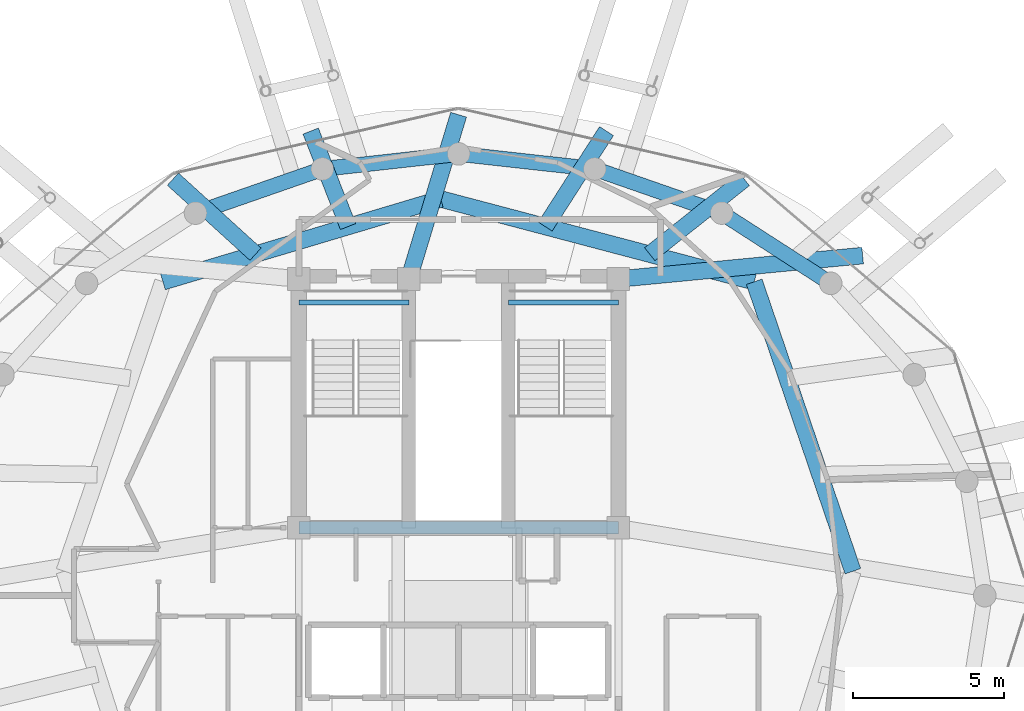
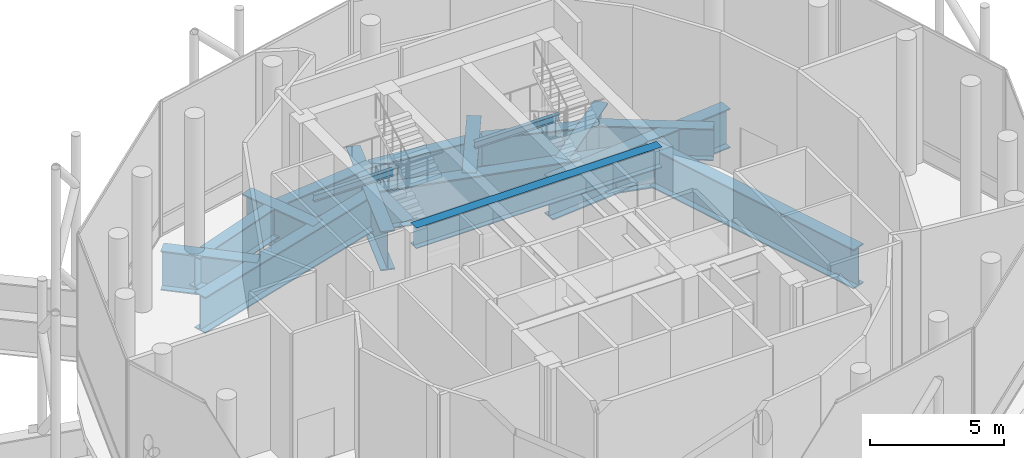
# One storey, part 12 of 26: 17 beams.
"""IFC4 building model written with IfcOpenShell, lengths in metres."""

from ifc_helpers import new_model, si_unit, direction, frame, origin, origin_2d, place, context, subcontext, project, spatial, i_section, extrude, material, material_profile, profile_set, type_object, element, save


model = new_model("IFC4")

# Units and contexts
model_context = context("Model", 3, precision=1e-05, world=origin(), true_north=direction((0.0, 1.0)))
body_context = subcontext(model_context, "Body", "Model", "MODEL_VIEW")
ifc_project = project(units=[si_unit("LENGTHUNIT", "METRE"), si_unit("AREAUNIT", "SQUARE_METRE"), si_unit("VOLUMEUNIT", "CUBIC_METRE"), si_unit("PLANEANGLEUNIT", "RADIAN"), si_unit("MASSUNIT", "GRAM", prefix="KILO")], contexts=[model_context])

# Site, building, storey
site_placement = place(None, origin())
site = spatial("IfcSite", under=ifc_project, at=site_placement, CompositionType="ELEMENT")
building_placement = place(site_placement, origin())
building = spatial("IfcBuilding", under=site, at=building_placement, Name="Nuhasar Tower", CompositionType="ELEMENT")
storey_placement = place(building_placement, frame((0.0, 0.0, 306.800048828125)))
storey = spatial("IfcBuildingStorey", under=building, at=storey_placement, Name="L76", CompositionType="ELEMENT", Elevation=306.800048828125)

# Beams
ifc_material_1 = material(Name="Steel S355", Category="steel")
ifc_material_profile_1 = material_profile(ifc_material_1, i_section(OverallWidth=0.1650390625, OverallDepth=0.31005859375, WebThickness=0.005859375, FlangeThickness=0.009765625, at=origin_2d()), Name="W12X26")
ifc_profile_set_1 = profile_set([ifc_material_profile_1], Name="Steel S355")
beam_type_1 = type_object("IfcBeamType", Name="BM-LNT-W12X26", PredefinedType="LINTEL", material=ifc_profile_set_1)
for number, where, z_axis, x_axis, name in (
    (1, (33.699951171875, 36.530029296875, 2.905029296875), (1.0, 0.0, 0.0), (0.0, 1.0, 0.0), "L76 Stair ST-01 Mid-Landing Trimmer Beam 1"),
    (2, (40.64990234375, 36.530029296875, 2.905029296875), (1.0, 0.0, 0.0), (0.0, 1.0, 0.0), "L76 Stair ST-02 Mid-Landing Trimmer Beam 1"),
):
    element("IfcBeam", number, at=place(storey_placement, frame(where, z_axis=z_axis, x_axis=x_axis)), inside=storey, type_object=beam_type_1, Name=name, PredefinedType="LINTEL", context=body_context, shape_type="SweptSolid", body=[
        extrude(i_section(OverallWidth=0.1650390625, OverallDepth=0.31005859375, WebThickness=0.005859375, FlangeThickness=0.009765625, at=origin_2d()), origin(), (0.0, 0.0, 1.0), 3.650146484375),
    ])
ifc_material_2 = material(Name="Steel S460", Category="steel")
ifc_material_profile_2 = material_profile(ifc_material_2, i_section(OverallWidth=0.423095703125, OverallDepth=0.947998046875, WebThickness=0.02392578125, FlangeThickness=0.042724609375, at=origin_2d()), Name="W36X302")
ifc_profile_set_2 = profile_set([ifc_material_profile_2], Name="Steel S460")
beam_type_2 = type_object("IfcBeamType", Name="BM-TMD-W36X302", PredefinedType="USERDEFINED", material=ifc_profile_set_2)
beam_1_placement = place(storey_placement, frame((33.699951171875, 29.050048828125, 5.7060546875), z_axis=(1.0, 0.0, 0.0), x_axis=(0.0, 1.0, 0.0)))
element("IfcBeam", 3, at=beam_1_placement, inside=storey, type_object=beam_type_2, Name="L76 Tuned Mass Damper Suspension Girder 2", ObjectType="GIRDER", PredefinedType="USERDEFINED", context=body_context, shape_type="SweptSolid", body=[
    extrude(i_section(OverallWidth=0.423095703125, OverallDepth=0.947998046875, WebThickness=0.02392578125, FlangeThickness=0.042724609375, at=origin_2d()), origin(), (0.0, 0.0, 1.0), 10.60009765625),
])
ifc_material_profile_3 = material_profile(ifc_material_2, i_section(OverallWidth=0.5, OverallDepth=1.449951171875, WebThickness=0.028076171875, FlangeThickness=0.050048828125, at=origin_2d()), Name="PG1450X500")
ifc_profile_set_3 = profile_set([ifc_material_profile_3], Name="Steel S460")
beam_type_3 = type_object("IfcBeamType", Name="BM-XFER-PG1450", PredefinedType="USERDEFINED", material=ifc_profile_set_3)
beam_2_placement = place(storey_placement, frame((51.339111328125, 37.158935546875, -1.074951171875), z_axis=(-0.84066698683, 0.541552414133, 0.0), x_axis=(-0.541552414133, -0.84066698683, 0.0)))
element("IfcBeam", 4, at=beam_2_placement, inside=storey, type_object=beam_type_3, Name="L76 Perimeter Ring Spandrel 04", ObjectType="GIRDER", PredefinedType="USERDEFINED", context=body_context, shape_type="SweptSolid", body=[
    extrude(i_section(OverallWidth=0.5, OverallDepth=1.449951171875, WebThickness=0.028076171875, FlangeThickness=0.050048828125, at=origin_2d()), origin(), (0.0, 0.0, 1.0), 4.299072265625),
])
beam_3_placement = place(storey_placement, frame((47.72509765625, 39.487060546875, -1.074951171875), z_axis=(-0.94450566555, 0.328495125907, 0.0), x_axis=(-0.328495125907, -0.94450566555, 0.0)))
element("IfcBeam", 5, at=beam_3_placement, inside=storey, type_object=beam_type_3, Name="L76 Perimeter Ring Spandrel 05", ObjectType="GIRDER", PredefinedType="USERDEFINED", context=body_context, shape_type="SweptSolid", body=[
    extrude(i_section(OverallWidth=0.5, OverallDepth=1.449951171875, WebThickness=0.028076171875, FlangeThickness=0.050048828125, at=origin_2d()), origin(), (0.0, 0.0, 1.0), 4.456298828125),
])
for number, where, z_axis, x_axis, name in (
    (6, (43.51611328125, 40.950927734375, -1.074951171875), (-0.993950391063, 0.10982995996, 0.0), (-0.10982995996, -0.993950391063, 0.0), "L76 Perimeter Ring Spandrel 06"),
    (7, (39.0, 41.449951171875, -1.074951171875), (-0.993950391063, -0.10982995996, 0.0), (0.10982995996, -0.993950391063, 0.0), "L76 Perimeter Ring Spandrel 07"),
):
    element("IfcBeam", number, at=place(storey_placement, frame(where, z_axis=z_axis, x_axis=x_axis)), inside=storey, type_object=beam_type_3, Name=name, ObjectType="GIRDER", PredefinedType="USERDEFINED", context=body_context, shape_type="SweptSolid", body=[
        extrude(i_section(OverallWidth=0.5, OverallDepth=1.449951171875, WebThickness=0.028076171875, FlangeThickness=0.050048828125, at=origin_2d()), origin(), (0.0, 0.0, 1.0), 4.543701171875),
    ])
beam_4_placement = place(storey_placement, frame((34.48388671875, 40.950927734375, -1.074951171875), z_axis=(-0.94450566555, -0.328495125907, 0.0), x_axis=(0.328495125907, -0.94450566555, 0.0)))
element("IfcBeam", 8, at=beam_4_placement, inside=storey, type_object=beam_type_3, Name="L76 Perimeter Ring Spandrel 08", ObjectType="GIRDER", PredefinedType="USERDEFINED", context=body_context, shape_type="SweptSolid", body=[
    extrude(i_section(OverallWidth=0.5, OverallDepth=1.449951171875, WebThickness=0.028076171875, FlangeThickness=0.050048828125, at=origin_2d()), origin(), (0.0, 0.0, 1.0), 4.456298828125),
])
ifc_material_profile_4 = material_profile(ifc_material_2, i_section(OverallWidth=0.550048828125, OverallDepth=1.64990234375, WebThickness=0.031982421875, FlangeThickness=0.054931640625, at=origin_2d()), Name="PG1650X550")
ifc_profile_set_4 = profile_set([ifc_material_profile_4], Name="Steel S460")
beam_type_4 = type_object("IfcBeamType", Name="BM-XFER-PG1650", PredefinedType="USERDEFINED", material=ifc_profile_set_4)
beam_5_placement = place(storey_placement, frame((38.406005859375, 39.9560546875, -1.175048828125), z_axis=(-0.958317047655, -0.285706906065, 0.0), x_axis=(0.285706906065, -0.958317047655, 0.0)))
element("IfcBeam", 9, at=beam_5_placement, inside=storey, type_object=beam_type_4, Name="L76 Inner Header Beam 06", ObjectType="GIRDER", PredefinedType="USERDEFINED", context=body_context, shape_type="SweptSolid", body=[
    extrude(i_section(OverallWidth=0.550048828125, OverallDepth=1.64990234375, WebThickness=0.031982421875, FlangeThickness=0.054931640625, at=origin_2d()), origin(), (0.0, 0.0, 1.0), 9.611572265625),
])
ifc_material_profile_5 = material_profile(ifc_material_2, i_section(OverallWidth=0.550048828125, OverallDepth=1.800048828125, WebThickness=0.031982421875, FlangeThickness=0.054931640625, at=origin_2d()), Name="PG1800X550")
ifc_profile_set_5 = profile_set([ifc_material_profile_5], Name="Steel S460")
beam_type_5 = type_object("IfcBeamType", Name="BM-XFER-PG1800", PredefinedType="USERDEFINED", material=ifc_profile_set_5)
beam_6_placement = place(storey_placement, frame((44.300048828125, 37.300048828125, -1.25), z_axis=(0.99542073054, 0.095590633496, 0.0), x_axis=(-0.095590633496, 0.99542073054, 0.0)))
element("IfcBeam", 10, at=beam_6_placement, inside=storey, type_object=beam_type_5, Name="L76 Radial Floor Girder 05", ObjectType="GIRDER", PredefinedType="USERDEFINED", context=body_context, shape_type="SweptSolid", body=[
    extrude(i_section(OverallWidth=0.550048828125, OverallDepth=1.800048828125, WebThickness=0.031982421875, FlangeThickness=0.054931640625, at=origin_2d()), origin(), (0.0, 0.0, 1.0), 8.13720703125),
])
beam_7_placement = place(storey_placement, frame((37.35009765625, 37.300048828125, -1.25), z_axis=(0.289750350206, 0.957102259195, 0.0), x_axis=(-0.957102259195, 0.289750350206, 0.0)))
element("IfcBeam", 11, at=beam_7_placement, inside=storey, type_object=beam_type_5, Name="L76 Radial Floor Girder 06", ObjectType="GIRDER", PredefinedType="USERDEFINED", context=body_context, shape_type="SweptSolid", body=[
    extrude(i_section(OverallWidth=0.550048828125, OverallDepth=1.800048828125, WebThickness=0.031982421875, FlangeThickness=0.054931640625, at=origin_2d()), origin(), (0.0, 0.0, 1.0), 5.6943359375),
])
beam_8_placement = place(storey_placement, frame((52.075927734375, 27.610107421875, -1.25), z_axis=(-0.322525410806, 0.946560805963, 0.0), x_axis=(-0.946560805963, -0.322525410806, 0.0)))
element("IfcBeam", 12, at=beam_8_placement, inside=storey, type_object=beam_type_5, Name="L76 Inner Header Beam 04", ObjectType="GIRDER", PredefinedType="USERDEFINED", context=body_context, shape_type="SweptSolid", body=[
    extrude(i_section(OverallWidth=0.550048828125, OverallDepth=1.800048828125, WebThickness=0.031982421875, FlangeThickness=0.054931640625, at=origin_2d()), origin(), (0.0, 0.0, 1.0), 10.141845703125),
])
beam_9_placement = place(storey_placement, frame((48.804931640625, 37.2099609375, -1.25), z_axis=(-0.96685600941, 0.255322261207, 0.0), x_axis=(-0.255322261207, -0.96685600941, 0.0)))
element("IfcBeam", 13, at=beam_9_placement, inside=storey, type_object=beam_type_5, Name="L76 Inner Header Beam 05", ObjectType="GIRDER", PredefinedType="USERDEFINED", context=body_context, shape_type="SweptSolid", body=[
    extrude(i_section(OverallWidth=0.550048828125, OverallDepth=1.800048828125, WebThickness=0.031982421875, FlangeThickness=0.054931640625, at=origin_2d()), origin(), (0.0, 0.0, 1.0), 10.75537109375),
])
beam_10_placement = place(storey_placement, frame((45.339111328125, 38.125, -1.25), z_axis=(0.783391183384, 0.621528964567, 0.0), x_axis=(-0.621528964567, 0.783391183384, 0.0)))
element("IfcBeam", 14, at=beam_10_placement, inside=storey, type_object=beam_type_5, Name="L76 Inner Column Transfer Girder 05", ObjectType="GIRDER", PredefinedType="USERDEFINED", context=body_context, shape_type="SweptSolid", body=[
    extrude(i_section(OverallWidth=0.550048828125, OverallDepth=1.800048828125, WebThickness=0.031982421875, FlangeThickness=0.054931640625, at=origin_2d()), origin(), (0.0, 0.0, 1.0), 4.003173828125),
])
beam_11_placement = place(storey_placement, frame((41.8720703125, 39.041015625, -1.25), z_axis=(0.540318062947, 0.841460867095, 0.0), x_axis=(-0.841460867095, 0.540318062947, 0.0)))
element("IfcBeam", 15, at=beam_11_placement, inside=storey, type_object=beam_type_5, Name="L76 Inner Column Transfer Girder 06", ObjectType="GIRDER", PredefinedType="USERDEFINED", context=body_context, shape_type="SweptSolid", body=[
    extrude(i_section(OverallWidth=0.550048828125, OverallDepth=1.800048828125, WebThickness=0.031982421875, FlangeThickness=0.054931640625, at=origin_2d()), origin(), (0.0, 0.0, 1.0), 3.762451171875),
])
beam_12_placement = place(storey_placement, frame((35.3359375, 39.041015625, -1.25), z_axis=(-0.364932570608, 0.931033951534, 0.0), x_axis=(-0.931033951534, -0.364932570608, 0.0)))
element("IfcBeam", 16, at=beam_12_placement, inside=storey, type_object=beam_type_5, Name="L76 Inner Column Transfer Girder 08", ObjectType="GIRDER", PredefinedType="USERDEFINED", context=body_context, shape_type="SweptSolid", body=[
    extrude(i_section(OverallWidth=0.550048828125, OverallDepth=1.800048828125, WebThickness=0.031982421875, FlangeThickness=0.054931640625, at=origin_2d()), origin(), (0.0, 0.0, 1.0), 3.400634765625),
])
beam_13_placement = place(storey_placement, frame((32.264892578125, 38.125, -1.25), z_axis=(-0.740324996641, 0.672249134881, 0.0), x_axis=(-0.672249134881, -0.740324996641, 0.0)))
element("IfcBeam", 17, at=beam_13_placement, inside=storey, type_object=beam_type_5, Name="L76 Inner Column Transfer Girder 09", ObjectType="GIRDER", PredefinedType="USERDEFINED", context=body_context, shape_type="SweptSolid", body=[
    extrude(i_section(OverallWidth=0.550048828125, OverallDepth=1.800048828125, WebThickness=0.031982421875, FlangeThickness=0.054931640625, at=origin_2d()), origin(), (0.0, 0.0, 1.0), 3.701171875),
])

save(model, "model.ifc")
